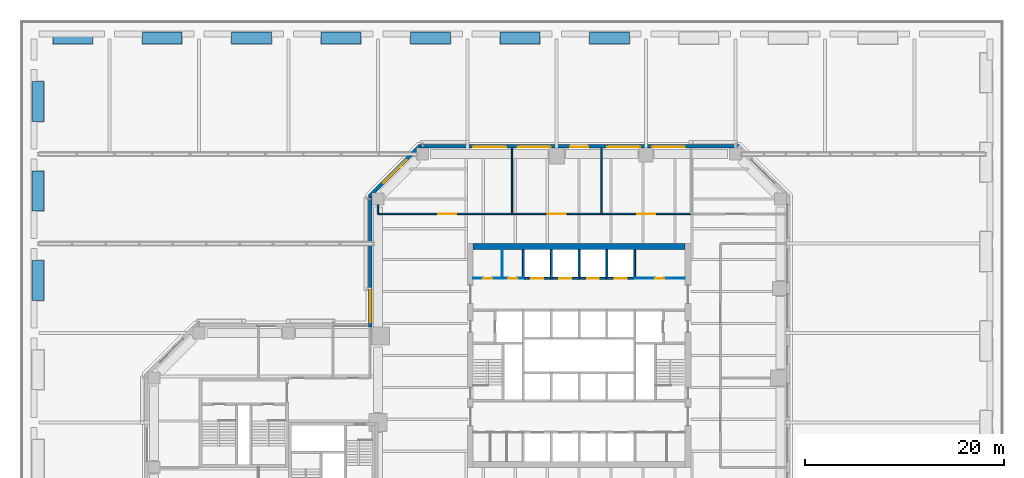
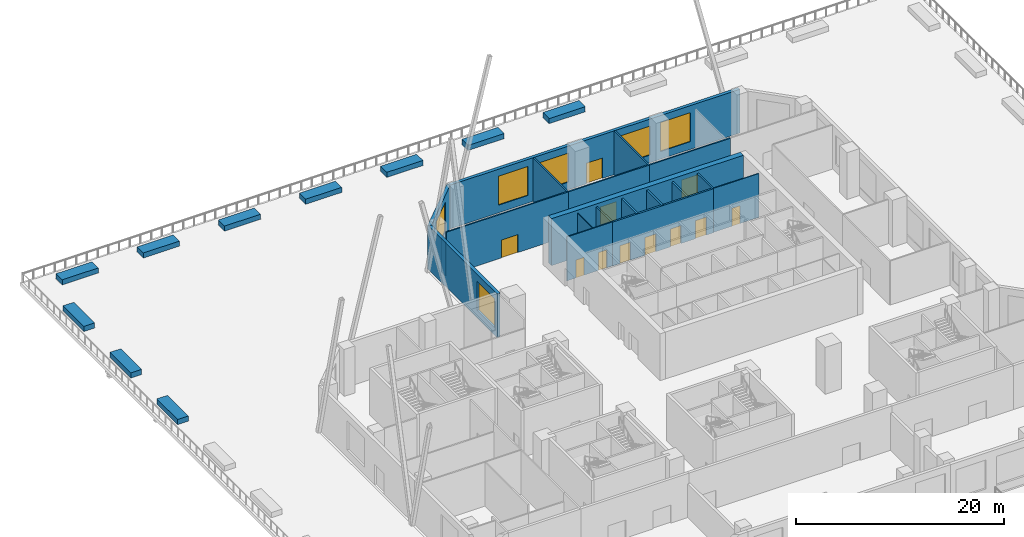
# One storey, part 26 of 33: 29 walls, 11 doors, 6 windows, 17 openings.
"""IFC4 building model written with IfcOpenShell, lengths in metres."""

import ifcopenshell
import ifcopenshell.guid

model = None  # the IFC model being written
_history = None  # IfcOwnerHistory: only IFC2X3 demands one
_inside = {}  # id of a spatial element -> (the spatial element, [elements in it])
_under = {}  # id of a project, library or spatial element -> (it, [spatial elements below it])
_declared = {}  # id of a project -> (the project, [libraries it declares])
_typed = {}  # id of a type object -> (the type object, [elements of that type])
_made_of = {}  # id of a material, layer set ... -> (it, [elements and type objects made of it])


def new_model(schema):
    """Start an empty IFC model of exactly this schema.

    Asked for "IFC4X3", IfcOpenShell would pick the latest addendum, in which some entities
    have other attributes; the version numbers below select the first issue.
    IFC2X3 requires an IfcOwnerHistory on every rooted entity: one is made here for all.
    """
    global model, _history
    if schema == "IFC4X3":
        model = ifcopenshell.file(schema_version=(4, 3, 0, 0))
    else:
        model = ifcopenshell.file(schema=schema)
    _inside.clear()
    _under.clear()
    _declared.clear()
    _typed.clear()
    _made_of.clear()
    _history = None
    if model.schema == "IFC2X3":
        org = make("IfcOrganization", Name="unknown")
        user = make(
            "IfcPersonAndOrganization",
            ThePerson=make("IfcPerson", FamilyName="unknown"),
            TheOrganization=org,
        )
        app = make(
            "IfcApplication",
            ApplicationDeveloper=org,
            Version="unknown",
            ApplicationFullName="unknown",
            ApplicationIdentifier="unknown",
        )
        _history = make(
            "IfcOwnerHistory",
            OwningUser=user,
            OwningApplication=app,
            ChangeAction="ADDED",
            CreationDate=0,
        )
    return model


def make(cls, **values):
    """One entity of the class cls with the attributes given. An attribute that is None is left unset."""
    return model.create_entity(
        cls, **{name: value for name, value in values.items() if value is not None}
    )


def rooted(cls, **values):
    """An entity with a GlobalId (a new one), such as an element, a storey or a relation."""
    return make(cls, GlobalId=ifcopenshell.guid.new(), OwnerHistory=_history, **values)


def si_unit(unit_type, name, prefix=None):
    """IfcSIUnit, for example si_unit("LENGTHUNIT", "METRE", prefix="MILLI")."""
    return make("IfcSIUnit", UnitType=unit_type, Prefix=prefix, Name=name)


def assignment(units):
    """IfcUnitAssignment: the units of a project."""
    return None if units is None else make("IfcUnitAssignment", Units=units)


def point(xyz):
    """IfcCartesianPoint."""
    return None if xyz is None else make("IfcCartesianPoint", Coordinates=xyz)


def direction(xyz):
    """IfcDirection."""
    return None if xyz is None else make("IfcDirection", DirectionRatios=xyz)


def frame(location, z_axis=None, x_axis=None):
    """IfcAxis2Placement3D, a coordinate frame: its origin and axes. An axis left out is left unset."""
    return make(
        "IfcAxis2Placement3D",
        Location=point(location),
        Axis=direction(z_axis),
        RefDirection=direction(x_axis),
    )


def frame_2d(location, x_axis=None):
    """IfcAxis2Placement2D, a coordinate frame in the plane: its origin and x axis."""
    return make(
        "IfcAxis2Placement2D", Location=point(location), RefDirection=direction(x_axis)
    )


def origin():
    """The frame at (0, 0, 0) with its axes left unset."""
    return frame((0.0, 0.0, 0.0))


def place(relative_to, where):
    """IfcLocalPlacement: puts the frame where relative to a parent placement (None: the world)."""
    return make(
        "IfcLocalPlacement", PlacementRelTo=relative_to, RelativePlacement=where
    )


def context(
    kind, dimensions, precision=None, world=None, true_north=None, identifier=None
):
    """IfcGeometricRepresentationContext, for example the 3D "Model" context."""
    return make(
        "IfcGeometricRepresentationContext",
        ContextIdentifier=identifier,
        ContextType=kind,
        CoordinateSpaceDimension=dimensions,
        Precision=precision,
        WorldCoordinateSystem=world,
        TrueNorth=true_north,
    )


def subcontext(parent, identifier, kind, view, scale=None):
    """IfcGeometricRepresentationSubContext, for example "Body" below "Model"."""
    return make(
        "IfcGeometricRepresentationSubContext",
        ContextIdentifier=identifier,
        ContextType=kind,
        ParentContext=parent,
        TargetScale=scale,
        TargetView=view,
    )


def project(units=None, contexts=None):
    """IfcProject with its units and contexts."""
    return rooted(
        "IfcProject",
        Name="project",
        RepresentationContexts=contexts,
        UnitsInContext=assignment(units),
    )


def spatial(cls, under=None, at=None, **own):
    """A site, building, storey or space (cls), placed at a placement, below another one or the project."""
    s = rooted(cls, ObjectPlacement=at, **own)
    if under is not None:
        _under.setdefault(under.id(), (under, []))[1].append(s)
    return s


def profile(cls, at=None, kind="AREA", **sizes):
    """A parametric profile (cls). Its sizes go by their IFC names, for example OverallWidth=200.0."""
    return make(cls, ProfileType=kind, Position=at, **sizes)


def rectangle(**sizes):
    """IfcRectangleProfileDef."""
    return profile("IfcRectangleProfileDef", **sizes)


def extrude(swept, where, along, depth):
    """IfcExtrudedAreaSolid: the profile swept, set in the frame where, extruded along a direction by depth."""
    return make(
        "IfcExtrudedAreaSolid",
        SweptArea=swept,
        Position=where,
        ExtrudedDirection=direction(along),
        Depth=depth,
    )


def shape(context_of_items, identifier, shape_type, items):
    """IfcShapeRepresentation: the items that make up one representation, for example the "Body"."""
    return make(
        "IfcShapeRepresentation",
        ContextOfItems=context_of_items,
        RepresentationIdentifier=identifier,
        RepresentationType=shape_type,
        Items=items,
    )


def material(Name=None, Category=None):
    """IfcMaterial."""
    return make("IfcMaterial", Name=Name, Category=Category)


def layer(
    of_material, thickness, ventilated=None, Name=None, Category=None, Priority=None
):
    """IfcMaterialLayer: one layer of a wall or slab, of a material (None: an air gap)."""
    return make(
        "IfcMaterialLayer",
        Material=of_material,
        LayerThickness=thickness,
        IsVentilated=ventilated,
        Name=Name,
        Category=Category,
        Priority=Priority,
    )


def layer_set(layers, Name=None):
    """IfcMaterialLayerSet."""
    return make("IfcMaterialLayerSet", MaterialLayers=layers, LayerSetName=Name)


def constituent(of_material, Name=None, Category=None, fraction=None):
    """IfcMaterialConstituent: one of the materials an element consists of."""
    return make(
        "IfcMaterialConstituent",
        Name=Name,
        Material=of_material,
        Fraction=fraction,
        Category=Category,
    )


def constituent_set(constituents=None, Name=None):
    """IfcMaterialConstituentSet."""
    return make(
        "IfcMaterialConstituentSet", Name=Name, MaterialConstituents=constituents
    )


def made_of(thing, what):
    """Note that an element or type object is made of a material, layer set ...; save() writes the relation."""
    if what is not None:
        _made_of.setdefault(what.id(), (what, []))[1].append(thing)
    return thing


def type_object(cls, material=None, **own):
    """A type object (cls), such as IfcWallType, which elements share."""
    return made_of(rooted(cls, **own), material)


def element(
    cls,
    number,
    at=None,
    inside=None,
    cuts=None,
    type_object=None,
    material=None,
    context=None,
    identifier="Body",
    shape_type=None,
    held_by="IfcProductDefinitionShape",
    body=None,
    shapes=None,
    **own,
):
    """One element of the class cls, such as IfcWall. Its Tag is "e" and its number.

    at: its placement. inside: the storey or other place that contains it. cuts: it is an
    opening in that element (IfcRelVoidsElement). A single representation is given by context,
    identifier, shape_type and body (its items); several are given by shapes. held_by: the class
    of the entity that holds the representations. save() writes the other relations.
    """
    e = rooted(cls, Tag="e%d" % number, ObjectPlacement=at, **own)
    if body is not None:
        shapes = [shape(context, identifier, shape_type, body)]
    if shapes is not None:
        e.Representation = make(held_by, Representations=shapes)
    if inside is not None:
        _inside.setdefault(inside.id(), (inside, []))[1].append(e)
    if cuts is not None:
        rooted(
            "IfcRelVoidsElement", RelatingBuildingElement=cuts, RelatedOpeningElement=e
        )
    if type_object is not None:
        _typed.setdefault(type_object.id(), (type_object, []))[1].append(e)
    return made_of(e, material)


def fill(opening, filler):
    """IfcRelFillsElement: the door or window that sits in an opening."""
    return rooted(
        "IfcRelFillsElement",
        RelatingOpeningElement=opening,
        RelatedBuildingElement=filler,
    )


def aggregate(whole, parts):
    """IfcRelAggregates: a whole, such as a stair, and the parts it consists of."""
    return rooted("IfcRelAggregates", RelatingObject=whole, RelatedObjects=parts)


def save(model, path):
    """Write the relations noted so far, then the file.

    IfcRelAggregates (storeys below a building ...), IfcRelContainedInSpatialStructure (elements
    in a storey), IfcRelDefinesByType, IfcRelAssociatesMaterial and IfcRelDeclares: one each for
    every whole, place, type object, material and project.
    """
    for whole, parts in _under.values():
        aggregate(whole, parts)
    for where, things in _inside.values():
        rooted(
            "IfcRelContainedInSpatialStructure",
            RelatedElements=things,
            RelatingStructure=where,
        )
    for kind, things in _typed.values():
        rooted("IfcRelDefinesByType", RelatedObjects=things, RelatingType=kind)
    for what, things in _made_of.values():
        rooted("IfcRelAssociatesMaterial", RelatedObjects=things, RelatingMaterial=what)
    for by, libraries in _declared.values():
        rooted("IfcRelDeclares", RelatingContext=by, RelatedDefinitions=libraries)
    model.write(path)


model = new_model("IFC4")

# Units and contexts
model_context = context("Model", 3, precision=1e-05, world=origin(), true_north=direction((0.0, 1.0)))
body_context = subcontext(model_context, "Body", "Model", "MODEL_VIEW")
ifc_project = project(units=[si_unit("LENGTHUNIT", "METRE"), si_unit("AREAUNIT", "SQUARE_METRE"), si_unit("VOLUMEUNIT", "CUBIC_METRE"), si_unit("PLANEANGLEUNIT", "RADIAN"), si_unit("MASSUNIT", "GRAM", prefix="KILO")], contexts=[model_context])

# Site, building, storey
site_placement = place(None, origin())
site = spatial("IfcSite", under=ifc_project, at=site_placement, CompositionType="ELEMENT")
building_placement = place(site_placement, origin())
building = spatial("IfcBuilding", under=site, at=building_placement, Name="Quoin Convention Tower", CompositionType="ELEMENT")
storey_placement = place(building_placement, frame((0.0, 0.0, 8.0)))
storey = spatial("IfcBuildingStorey", under=building, at=storey_placement, Name="L01", CompositionType="ELEMENT", Elevation=8.0)

# Wall, openings, windows, door
ifc_material_1 = material(Name="Brick masonry", Category="masonry")
ifc_layer_1 = layer(ifc_material_1, 0.35009765625)
ifc_layer_set_1 = layer_set([ifc_layer_1], Name="Brick masonry")
wall_type_1 = type_object("IfcWallType", Name="Brick facade wall", PredefinedType="STANDARD", material=ifc_layer_set_1)
wall_1_placement = place(storey_placement, frame((72.3935546875, 81.77490234375, 0.0), z_axis=(0.0, 0.0, 1.0), x_axis=(-1.0, 0.0, 0.0)))
wall_1 = element("IfcWall", 1, at=wall_1_placement, inside=storey, type_object=wall_type_1, Name="fw-L01-72000_81000", PredefinedType="STANDARD", context=body_context, shape_type="SweptSolid", body=[
    extrude(rectangle(XDim=32.287109375, YDim=0.35009765625, at=frame_2d((16.1435546875, 0.0))), origin(), (0.0, 0.0, 1.0), 5.125),
])
opening_1_placement = place(wall_1_placement, frame((5.493408203125, 0.0, 0.89990234375)))
opening_1 = element("IfcOpeningElement", 2, at=opening_1_placement, cuts=wall_1, Name="Opening W-04", PredefinedType="OPENING", context=body_context, shape_type="SweptSolid", body=[
    extrude(rectangle(XDim=3.300048828125, YDim=3.39990234375, at=frame_2d((1.64990234375, 1.699951171875))), frame((0.0, 0.18505859375, 0.0), z_axis=(0.0, -1.0, 0.0), x_axis=(1.0, 0.0, 0.0)), (0.0, 0.0, 1.0), 0.3701171875),
])
opening_2_placement = place(wall_1_placement, frame((9.993408203125, 0.0, 0.89990234375)))
opening_2 = element("IfcOpeningElement", 3, at=opening_2_placement, cuts=wall_1, Name="Opening W-04", PredefinedType="OPENING", context=body_context, shape_type="SweptSolid", body=[
    extrude(rectangle(XDim=3.300048828125, YDim=3.39990234375, at=frame_2d((1.64990234375, 1.699951171875))), frame((0.0, 0.18505859375, 0.0), z_axis=(0.0, -1.0, 0.0), x_axis=(1.0, 0.0, 0.0)), (0.0, 0.0, 1.0), 0.3701171875),
])
opening_3_placement = place(wall_1_placement, frame((15.243408203125, 0.0, 0.0)))
opening_3 = element("IfcOpeningElement", 4, at=opening_3_placement, cuts=wall_1, Name="Opening D-T1", PredefinedType="OPENING", context=body_context, shape_type="SweptSolid", body=[
    extrude(rectangle(XDim=1.800048828125, YDim=2.39990234375, at=frame_2d((0.89990234375, 1.199951171875))), frame((0.0, 0.18505859375, 0.0), z_axis=(0.0, -1.0, 0.0), x_axis=(1.0, 0.0, 0.0)), (0.0, 0.0, 1.0), 0.3701171875),
])
opening_4_placement = place(wall_1_placement, frame((18.993408203125, 0.0, 0.89990234375)))
opening_4 = element("IfcOpeningElement", 5, at=opening_4_placement, cuts=wall_1, Name="Opening W-04", PredefinedType="OPENING", context=body_context, shape_type="SweptSolid", body=[
    extrude(rectangle(XDim=3.300048828125, YDim=3.39990234375, at=frame_2d((1.64990234375, 1.699951171875))), frame((0.0, 0.18505859375, 0.0), z_axis=(0.0, -1.0, 0.0), x_axis=(1.0, 0.0, 0.0)), (0.0, 0.0, 1.0), 0.3701171875),
])
opening_5_placement = place(wall_1_placement, frame((23.493408203125, 0.0, 0.89990234375)))
opening_5 = element("IfcOpeningElement", 6, at=opening_5_placement, cuts=wall_1, Name="Opening W-04", PredefinedType="OPENING", context=body_context, shape_type="SweptSolid", body=[
    extrude(rectangle(XDim=3.300048828125, YDim=3.39990234375, at=frame_2d((1.64990234375, 1.699951171875))), frame((0.0, 0.18505859375, 0.0), z_axis=(0.0, -1.0, 0.0), x_axis=(1.0, 0.0, 0.0)), (0.0, 0.0, 1.0), 0.3701171875),
])
ifc_material_2 = material(Name="Aluminium", Category="aluminium")
ifc_constituent_1 = constituent(ifc_material_2, Name="Frame")
ifc_material_3 = material(Name="Insulated glass", Category="glass")
ifc_constituent_2 = constituent(ifc_material_3, Name="Glazing")
ifc_constituent_set_1 = constituent_set(constituents=[ifc_constituent_1, ifc_constituent_2], Name="Aluminium")
window_type = type_object("IfcWindowType", Name="Convention window L01", PartitioningType="TRIPLE_PANEL_VERTICAL", PredefinedType="WINDOW", material=ifc_constituent_set_1)
window_1_placement = place(opening_1_placement, origin())
window_1 = element("IfcWindow", 7, at=window_1_placement, inside=storey, type_object=window_type, Name="win-L01-65250_81775", OverallHeight=3.39990234375, OverallWidth=3.300048828125, PartitioningType="SINGLE_PANEL", PredefinedType="WINDOW", context=body_context, shape_type="SweptSolid", body=[
    extrude(rectangle(XDim=3.300048828125, YDim=3.39990234375, at=frame_2d((1.64990234375, 1.699951171875))), frame((0.0, 0.0849609375, 0.0), z_axis=(0.0, -1.0, 0.0), x_axis=(1.0, 0.0, 0.0)), (0.0, 0.0, 1.0), 0.06005859375),
])
fill(opening_1, window_1)
window_2_placement = place(opening_2_placement, origin())
window_2 = element("IfcWindow", 8, at=window_2_placement, inside=storey, type_object=window_type, Name="win-L01-60750_81775", OverallHeight=3.39990234375, OverallWidth=3.300048828125, PartitioningType="SINGLE_PANEL", PredefinedType="WINDOW", context=body_context, shape_type="SweptSolid", body=[
    extrude(rectangle(XDim=3.300048828125, YDim=3.39990234375, at=frame_2d((1.64990234375, 1.699951171875))), frame((0.0, 0.0849609375, 0.0), z_axis=(0.0, -1.0, 0.0), x_axis=(1.0, 0.0, 0.0)), (0.0, 0.0, 1.0), 0.06005859375),
])
fill(opening_2, window_2)
window_3_placement = place(opening_4_placement, origin())
window_3 = element("IfcWindow", 9, at=window_3_placement, inside=storey, type_object=window_type, Name="win-L01-51750_81775", OverallHeight=3.39990234375, OverallWidth=3.300048828125, PartitioningType="SINGLE_PANEL", PredefinedType="WINDOW", context=body_context, shape_type="SweptSolid", body=[
    extrude(rectangle(XDim=3.300048828125, YDim=3.39990234375, at=frame_2d((1.64990234375, 1.699951171875))), frame((0.0, 0.0849609375, 0.0), z_axis=(0.0, -1.0, 0.0), x_axis=(1.0, 0.0, 0.0)), (0.0, 0.0, 1.0), 0.06005859375),
])
fill(opening_4, window_3)
window_4_placement = place(opening_5_placement, origin())
window_4 = element("IfcWindow", 10, at=window_4_placement, inside=storey, type_object=window_type, Name="win-L01-47250_81775", OverallHeight=3.39990234375, OverallWidth=3.300048828125, PartitioningType="SINGLE_PANEL", PredefinedType="WINDOW", context=body_context, shape_type="SweptSolid", body=[
    extrude(rectangle(XDim=3.300048828125, YDim=3.39990234375, at=frame_2d((1.64990234375, 1.699951171875))), frame((0.0, 0.0849609375, 0.0), z_axis=(0.0, -1.0, 0.0), x_axis=(1.0, 0.0, 0.0)), (0.0, 0.0, 1.0), 0.06005859375),
])
fill(opening_5, window_4)
ifc_constituent_3 = constituent(ifc_material_2, Name="Frame")
ifc_constituent_4 = constituent(ifc_material_3, Name="Glazing")
ifc_constituent_set_2 = constituent_set(constituents=[ifc_constituent_3, ifc_constituent_4], Name="Aluminium")
door_type_1 = type_object("IfcDoorType", Name="Glazed terrace door", OperationType="DOUBLE_DOOR_SINGLE_SWING", PredefinedType="DOOR", material=ifc_constituent_set_2)
door_1_placement = place(opening_3_placement, frame((1.800048828125, 0.0, 0.0), z_axis=(0.0, 0.0, 1.0), x_axis=(-1.0, 0.0, 0.0)))
door_1 = element("IfcDoor", 11, at=door_1_placement, inside=storey, type_object=door_type_1, Name="dr-L01-56250_81775", OperationType="DOUBLE_DOOR_SINGLE_SWING", OverallHeight=2.39990234375, OverallWidth=1.800048828125, PredefinedType="DOOR", context=body_context, shape_type="SweptSolid", body=[
    extrude(rectangle(XDim=1.800048828125, YDim=2.39990234375, at=frame_2d((0.89990234375, 1.199951171875))), frame((0.0, -0.02978515625, 0.0), z_axis=(0.0, -1.0, 0.0), x_axis=(1.0, 0.0, 0.0)), (0.0, 0.0, 1.0), 0.050048828125),
])
fill(opening_3, door_1)

# Wall, opening, window
wall_2_placement = place(storey_placement, frame((40.230224609375, 81.826416015625, 0.0), z_axis=(0.0, 0.0, 1.0), x_axis=(-0.707106781187, -0.707106781187, 0.0)))
wall_2 = element("IfcWall", 12, at=wall_2_placement, inside=storey, type_object=wall_type_1, Name="fw-L01-40500_81000", PredefinedType="STANDARD", context=body_context, shape_type="SweptSolid", body=[
    extrude(rectangle(XDim=7.151123046875, YDim=0.35009765625, at=frame_2d((3.57568359375, 0.0))), origin(), (0.0, 0.0, 1.0), 5.125),
])
opening_6_placement = place(wall_2_placement, frame((1.925537109375, 0.0, 0.89990234375)))
opening_6 = element("IfcOpeningElement", 13, at=opening_6_placement, cuts=wall_2, Name="Opening W-04", PredefinedType="OPENING", context=body_context, shape_type="SweptSolid", body=[
    extrude(rectangle(XDim=3.300048828125, YDim=3.39990234375, at=frame_2d((1.64990234375, 1.699951171875))), frame((0.0, 0.18505859375, 0.0), z_axis=(0.0, -1.0, 0.0), x_axis=(1.0, 0.0, 0.0)), (0.0, 0.0, 1.0), 0.3701171875),
])
window_5_placement = place(opening_6_placement, origin())
window_5 = element("IfcWindow", 14, at=window_5_placement, inside=storey, type_object=window_type, Name="win-L01-37702_79298", OverallHeight=3.39990234375, OverallWidth=3.300048828125, PartitioningType="SINGLE_PANEL", PredefinedType="WINDOW", context=body_context, shape_type="SweptSolid", body=[
    extrude(rectangle(XDim=3.300048828125, YDim=3.39990234375, at=frame_2d((1.64990234375, 1.699951171875))), frame((0.0, 0.0849609375, 0.0), z_axis=(0.0, -1.0, 0.0), x_axis=(1.0, 0.0, 0.0)), (0.0, 0.0, 1.0), 0.06005859375),
])
fill(opening_6, window_5)

wall_3_placement = place(storey_placement, frame((35.22509765625, 76.8935546875, 0.0), z_axis=(0.0, 0.0, 1.0), x_axis=(0.0, -1.0, 0.0)))
wall_3 = element("IfcWall", 15, at=wall_3_placement, inside=storey, type_object=wall_type_1, Name="fw-L01-36000_76500", PredefinedType="STANDARD", context=body_context, shape_type="SweptSolid", body=[
    extrude(rectangle(XDim=13.29345703125, YDim=0.35009765625, at=frame_2d((6.646728515625, 0.0))), origin(), (0.0, 0.0, 1.0), 5.125),
])
opening_7_placement = place(wall_3_placement, frame((9.493408203125, 0.0, 0.89990234375)))
opening_7 = element("IfcOpeningElement", 16, at=opening_7_placement, cuts=wall_3, Name="Opening W-04", PredefinedType="OPENING", context=body_context, shape_type="SweptSolid", body=[
    extrude(rectangle(XDim=3.300048828125, YDim=3.39990234375, at=frame_2d((1.64990234375, 1.699951171875))), frame((0.0, 0.18505859375, 0.0), z_axis=(0.0, -1.0, 0.0), x_axis=(1.0, 0.0, 0.0)), (0.0, 0.0, 1.0), 0.3701171875),
])
window_6_placement = place(opening_7_placement, origin())
window_6 = element("IfcWindow", 17, at=window_6_placement, inside=storey, type_object=window_type, Name="win-L01-35225_65250", OverallHeight=3.39990234375, OverallWidth=3.300048828125, PartitioningType="SINGLE_PANEL", PredefinedType="WINDOW", context=body_context, shape_type="SweptSolid", body=[
    extrude(rectangle(XDim=3.300048828125, YDim=3.39990234375, at=frame_2d((1.64990234375, 1.699951171875))), frame((0.0, 0.0849609375, 0.0), z_axis=(0.0, -1.0, 0.0), x_axis=(1.0, 0.0, 0.0)), (0.0, 0.0, 1.0), 0.06005859375),
])
fill(opening_7, window_6)

# Wall, openings, doors
ifc_material_4 = material(Name="Plasterboard")
ifc_layer_2 = layer(ifc_material_4, 0.012451171875, Name="Finish")
ifc_material_5 = material(Name="Steel stud framing", Category="steel")
ifc_layer_3 = layer(ifc_material_5, 0.074951171875, Name="Structure")
ifc_layer_4 = layer(ifc_material_4, 0.012451171875, Name="Finish")
ifc_layer_set_2 = layer_set([ifc_layer_2, ifc_layer_3, ifc_layer_4], Name="Steel stud framing")
wall_type_2 = type_object("IfcWallType", Name="Core partition wall", PredefinedType="PARTITIONING", material=ifc_layer_set_2)
wall_4_placement = place(storey_placement, frame((45.60009765625, 68.5, 0.0), z_axis=(0.0, 0.0, 1.0), x_axis=(1.0, 0.0, 0.0)))
wall_4 = element("IfcWall", 18, at=wall_4_placement, inside=storey, type_object=wall_type_2, Name="cr-C1-L01-h19000_600", PredefinedType="PARTITIONING", context=body_context, shape_type="SweptSolid", body=[
    extrude(rectangle(XDim=5.0498046875, YDim=0.10009765625, at=frame_2d((2.52490234375, 0.0))), origin(), (0.0, 0.0, 1.0), 5.14990234375),
])
opening_8_placement = place(wall_4_placement, frame((1.014404296875, 0.0, 0.0)))
opening_8 = element("IfcOpeningElement", 19, at=opening_8_placement, cuts=wall_4, Name="Opening DCV1-17", PredefinedType="OPENING", context=body_context, shape_type="SweptSolid", body=[
    extrude(rectangle(XDim=0.89990234375, YDim=2.10009765625, at=frame_2d((0.449951171875, 1.050048828125))), frame((0.0, 0.06005859375, 0.0), z_axis=(0.0, -1.0, 0.0), x_axis=(1.0, 0.0, 0.0)), (0.0, 0.0, 1.0), 0.1201171875),
])
opening_9_placement = place(wall_4_placement, frame((3.53955078125, 0.0, 0.0)))
opening_9 = element("IfcOpeningElement", 20, at=opening_9_placement, cuts=wall_4, Name="Opening DCV1-18", PredefinedType="OPENING", context=body_context, shape_type="SweptSolid", body=[
    extrude(rectangle(XDim=0.89990234375, YDim=2.10009765625, at=frame_2d((0.449951171875, 1.050048828125))), frame((0.0, 0.06005859375, 0.0), z_axis=(0.0, -1.0, 0.0), x_axis=(1.0, 0.0, 0.0)), (0.0, 0.0, 1.0), 0.1201171875),
])
ifc_material_6 = material(Name="Steel door leaf", Category="steel")
door_type_2 = type_object("IfcDoorType", Name="Core room door 900 x 2100", OperationType="SINGLE_SWING_LEFT", PredefinedType="DOOR", material=ifc_material_6)
door_2_placement = place(opening_8_placement, origin())
door_2 = element("IfcDoor", 21, at=door_2_placement, inside=storey, type_object=door_type_2, Name="cd-C1-L01-CNW0-lobB-CD0108", OperationType="SINGLE_SWING_RIGHT", OverallHeight=2.10009765625, OverallWidth=0.89990234375, PredefinedType="DOOR", context=body_context, shape_type="SweptSolid", body=[
    extrude(rectangle(XDim=0.89990234375, YDim=2.10009765625, at=frame_2d((0.449951171875, 1.050048828125))), frame((0.0, 0.02490234375, 0.0), z_axis=(0.0, -1.0, 0.0), x_axis=(1.0, 0.0, 0.0)), (0.0, 0.0, 1.0), 0.050048828125),
])
fill(opening_8, door_2)
door_3_placement = place(opening_9_placement, origin())
door_3 = element("IfcDoor", 22, at=door_3_placement, inside=storey, type_object=door_type_2, Name="cd-C1-L01-CNW1-lobB-CD0109", OperationType="SINGLE_SWING_RIGHT", OverallHeight=2.10009765625, OverallWidth=0.89990234375, PredefinedType="DOOR", context=body_context, shape_type="SweptSolid", body=[
    extrude(rectangle(XDim=0.89990234375, YDim=2.10009765625, at=frame_2d((0.449951171875, 1.050048828125))), frame((0.0, 0.02490234375, 0.0), z_axis=(0.0, -1.0, 0.0), x_axis=(1.0, 0.0, 0.0)), (0.0, 0.0, 1.0), 0.050048828125),
])
fill(opening_9, door_3)

# Wall, opening, door
wall_5_placement = place(storey_placement, frame((61.85009765625, 68.5, 0.0), z_axis=(0.0, 0.0, 1.0), x_axis=(1.0, 0.0, 0.0)))
wall_5 = element("IfcWall", 23, at=wall_5_placement, inside=storey, type_object=wall_type_2, Name="cr-C1-L01-h19000_16850", PredefinedType="PARTITIONING", context=body_context, shape_type="SweptSolid", body=[
    extrude(rectangle(XDim=5.0498046875, YDim=0.10009765625, at=frame_2d((2.52490234375, 0.0))), origin(), (0.0, 0.0, 1.0), 5.14990234375),
])
opening_10_placement = place(wall_5_placement, frame((2.074951171875, 0.0, 0.0)))
opening_10 = element("IfcOpeningElement", 24, at=opening_10_placement, cuts=wall_5, Name="Opening DCV1-01", PredefinedType="OPENING", context=body_context, shape_type="SweptSolid", body=[
    extrude(rectangle(XDim=0.89990234375, YDim=2.10009765625, at=frame_2d((0.449951171875, 1.050048828125))), frame((0.0, 0.06005859375, 0.0), z_axis=(0.0, -1.0, 0.0), x_axis=(1.0, 0.0, 0.0)), (0.0, 0.0, 1.0), 0.1201171875),
])
door_4_placement = place(opening_10_placement, origin())
door_4 = element("IfcDoor", 25, at=door_4_placement, inside=storey, type_object=door_type_2, Name="cd-C1-L01-CNE0-lobB-CD0107", OperationType="SINGLE_SWING_LEFT", OverallHeight=2.10009765625, OverallWidth=0.89990234375, PredefinedType="DOOR", context=body_context, shape_type="SweptSolid", body=[
    extrude(rectangle(XDim=0.89990234375, YDim=2.10009765625, at=frame_2d((0.449951171875, 1.050048828125))), frame((0.0, 0.02490234375, 0.0), z_axis=(0.0, -1.0, 0.0), x_axis=(1.0, 0.0, 0.0)), (0.0, 0.0, 1.0), 0.050048828125),
])
fill(opening_10, door_4)

# Wall
wall_6_placement = place(storey_placement, frame((48.529052734375, 68.5, 0.0), z_axis=(0.0, 0.0, 1.0), x_axis=(0.0, 1.0, 0.0)))
element("IfcWall", 26, at=wall_6_placement, inside=storey, type_object=wall_type_2, Name="cr-C1-L01-v3529_19000", PredefinedType="PARTITIONING", context=body_context, shape_type="SweptSolid", body=[
    extrude(rectangle(XDim=2.89990234375, YDim=0.10009765625, at=frame_2d((1.449951171875, 0.0))), origin(), (0.0, 0.0, 1.0), 5.14990234375),
])

# Wall, openings, doors
ifc_material_7 = material(Name="Concrete C50", Category="concrete")
ifc_layer_5 = layer(ifc_material_7, 0.199951171875)
ifc_layer_set_3 = layer_set([ifc_layer_5], Name="Concrete C50")
wall_type_3 = type_object("IfcWallType", Name="Core shaft wall", PredefinedType="SOLIDWALL", material=ifc_layer_set_3)
wall_7_placement = place(storey_placement, frame((50.64990234375, 68.5, 0.0), z_axis=(0.0, 0.0, 1.0), x_axis=(1.0, 0.0, 0.0)))
wall_7 = element("IfcWall", 27, at=wall_7_placement, inside=storey, type_object=wall_type_3, Name="cr-C1-L01-h19000_5650", PredefinedType="SOLIDWALL", context=body_context, shape_type="SweptSolid", body=[
    extrude(rectangle(XDim=11.2001953125, YDim=0.199951171875, at=frame_2d((5.60009765625, 0.0))), origin(), (0.0, 0.0, 1.0), 5.14990234375),
])
opening_11_placement = place(wall_7_placement, frame((0.800048828125, 0.0, 0.0)))
opening_11 = element("IfcOpeningElement", 28, at=opening_11_placement, cuts=wall_7, Name="Opening LDL5", PredefinedType="OPENING", context=body_context, shape_type="SweptSolid", body=[
    extrude(rectangle(XDim=1.199951171875, YDim=2.10009765625, at=frame_2d((0.60009765625, 1.050048828125))), frame((0.0, 0.10986328125, 0.0), z_axis=(0.0, -1.0, 0.0), x_axis=(1.0, 0.0, 0.0)), (0.0, 0.0, 1.0), 0.219970703125),
])
opening_12_placement = place(wall_7_placement, frame((3.60009765625, 0.0, 0.0)))
opening_12 = element("IfcOpeningElement", 29, at=opening_12_placement, cuts=wall_7, Name="Opening LDL6", PredefinedType="OPENING", context=body_context, shape_type="SweptSolid", body=[
    extrude(rectangle(XDim=1.199951171875, YDim=2.10009765625, at=frame_2d((0.60009765625, 1.050048828125))), frame((0.0, 0.10986328125, 0.0), z_axis=(0.0, -1.0, 0.0), x_axis=(1.0, 0.0, 0.0)), (0.0, 0.0, 1.0), 0.219970703125),
])
opening_13_placement = place(wall_7_placement, frame((6.39990234375, 0.0, 0.0)))
opening_13 = element("IfcOpeningElement", 30, at=opening_13_placement, cuts=wall_7, Name="Opening LDL7", PredefinedType="OPENING", context=body_context, shape_type="SweptSolid", body=[
    extrude(rectangle(XDim=1.199951171875, YDim=2.10009765625, at=frame_2d((0.60009765625, 1.050048828125))), frame((0.0, 0.10986328125, 0.0), z_axis=(0.0, -1.0, 0.0), x_axis=(1.0, 0.0, 0.0)), (0.0, 0.0, 1.0), 0.219970703125),
])
opening_14_placement = place(wall_7_placement, frame((9.199951171875, 0.0, 0.0)))
opening_14 = element("IfcOpeningElement", 31, at=opening_14_placement, cuts=wall_7, Name="Opening LDL8", PredefinedType="OPENING", context=body_context, shape_type="SweptSolid", body=[
    extrude(rectangle(XDim=1.199951171875, YDim=2.10009765625, at=frame_2d((0.60009765625, 1.050048828125))), frame((0.0, 0.10986328125, 0.0), z_axis=(0.0, -1.0, 0.0), x_axis=(1.0, 0.0, 0.0)), (0.0, 0.0, 1.0), 0.219970703125),
])
door_type_3 = type_object("IfcDoorType", Name="Lift landing door 1200 x 2100", OperationType="DOUBLE_DOOR_SLIDING", PredefinedType="DOOR", material=ifc_material_6)
door_5_placement = place(opening_11_placement, origin())
door_5 = element("IfcDoor", 32, at=door_5_placement, inside=storey, type_object=door_type_3, Name="cd-C1-L01-R40-lobB-LDL5", OperationType="DOUBLE_DOOR_SLIDING", OverallHeight=2.10009765625, OverallWidth=1.199951171875, PredefinedType="DOOR", context=body_context, shape_type="SweptSolid", body=[
    extrude(rectangle(XDim=1.199951171875, YDim=2.10009765625, at=frame_2d((0.60009765625, 1.050048828125))), frame((0.0, 0.02490234375, 0.0), z_axis=(0.0, -1.0, 0.0), x_axis=(1.0, 0.0, 0.0)), (0.0, 0.0, 1.0), 0.050048828125),
])
fill(opening_11, door_5)
door_6_placement = place(opening_12_placement, origin())
door_6 = element("IfcDoor", 33, at=door_6_placement, inside=storey, type_object=door_type_3, Name="cd-C1-L01-R41-lobB-LDL6", OperationType="DOUBLE_DOOR_SLIDING", OverallHeight=2.10009765625, OverallWidth=1.199951171875, PredefinedType="DOOR", context=body_context, shape_type="SweptSolid", body=[
    extrude(rectangle(XDim=1.199951171875, YDim=2.10009765625, at=frame_2d((0.60009765625, 1.050048828125))), frame((0.0, 0.02490234375, 0.0), z_axis=(0.0, -1.0, 0.0), x_axis=(1.0, 0.0, 0.0)), (0.0, 0.0, 1.0), 0.050048828125),
])
fill(opening_12, door_6)
door_7_placement = place(opening_13_placement, origin())
door_7 = element("IfcDoor", 34, at=door_7_placement, inside=storey, type_object=door_type_3, Name="cd-C1-L01-R42-lobB-LDL7", OperationType="DOUBLE_DOOR_SLIDING", OverallHeight=2.10009765625, OverallWidth=1.199951171875, PredefinedType="DOOR", context=body_context, shape_type="SweptSolid", body=[
    extrude(rectangle(XDim=1.199951171875, YDim=2.10009765625, at=frame_2d((0.60009765625, 1.050048828125))), frame((0.0, 0.02490234375, 0.0), z_axis=(0.0, -1.0, 0.0), x_axis=(1.0, 0.0, 0.0)), (0.0, 0.0, 1.0), 0.050048828125),
])
fill(opening_13, door_7)
door_8_placement = place(opening_14_placement, origin())
door_8 = element("IfcDoor", 35, at=door_8_placement, inside=storey, type_object=door_type_3, Name="cd-C1-L01-R43-lobB-LDL8", OperationType="DOUBLE_DOOR_SLIDING", OverallHeight=2.10009765625, OverallWidth=1.199951171875, PredefinedType="DOOR", context=body_context, shape_type="SweptSolid", body=[
    extrude(rectangle(XDim=1.199951171875, YDim=2.10009765625, at=frame_2d((0.60009765625, 1.050048828125))), frame((0.0, 0.02490234375, 0.0), z_axis=(0.0, -1.0, 0.0), x_axis=(1.0, 0.0, 0.0)), (0.0, 0.0, 1.0), 0.050048828125),
])
fill(opening_14, door_8)

# Walls
for number, where, z_axis, x_axis, name in (
    (36, (50.64990234375, 68.5, 0.0), (0.0, 0.0, 1.0), (0.0, 1.0, 0.0), "cr-C1-L01-v5650_19000"),
    (37, (53.449951171875, 68.5, 0.0), (0.0, 0.0, 1.0), (0.0, 1.0, 0.0), "cr-C1-L01-v8450_19000"),
    (38, (56.25, 68.5, 0.0), (0.0, 0.0, 1.0), (0.0, 1.0, 0.0), "cr-C1-L01-v11250_19000"),
    (39, (59.050048828125, 68.5, 0.0), (0.0, 0.0, 1.0), (0.0, 1.0, 0.0), "cr-C1-L01-v14050_19000"),
    (40, (61.85009765625, 68.5, 0.0), (0.0, 0.0, 1.0), (0.0, 1.0, 0.0), "cr-C1-L01-v16850_19000"),
):
    element("IfcWall", number, at=place(storey_placement, frame(where, z_axis=z_axis, x_axis=x_axis)), inside=storey, type_object=wall_type_3, Name=name, PredefinedType="SOLIDWALL", context=body_context, shape_type="SweptSolid", body=[
        extrude(rectangle(XDim=2.89990234375, YDim=0.199951171875, at=frame_2d((1.449951171875, 0.0))), origin(), (0.0, 0.0, 1.0), 5.14990234375),
    ])

# Wall, opening, door
ifc_layer_6 = layer(ifc_material_4, 0.012451171875, Name="Finish")
ifc_layer_7 = layer(ifc_material_5, 0.125, Name="Structure")
ifc_layer_8 = layer(ifc_material_4, 0.012451171875, Name="Finish")
ifc_layer_set_4 = layer_set([ifc_layer_6, ifc_layer_7, ifc_layer_8], Name="Steel stud framing")
wall_type_4 = type_object("IfcWallType", Name="Partition wall 150", PredefinedType="PARTITIONING", material=ifc_layer_set_4)
wall_8_placement = place(storey_placement, frame((36.0, 75.0, 0.0), z_axis=(0.0, 0.0, 1.0), x_axis=(1.0, 0.0, 0.0)))
wall_8 = element("IfcWall", 41, at=wall_8_placement, inside=storey, type_object=wall_type_4, Name="pw-L01-040", PredefinedType="PARTITIONING", context=body_context, shape_type="SweptSolid", body=[
    extrude(rectangle(XDim=13.5, YDim=0.14990234375, at=frame_2d((6.75, 0.0))), origin(), (0.0, 0.0, 1.0), 5.14990234375),
])
opening_15_placement = place(wall_8_placement, frame((6.10009765625, 0.0, 0.0)))
opening_15 = element("IfcOpeningElement", 42, at=opening_15_placement, cuts=wall_8, Name="Opening DPD1-19", PredefinedType="OPENING", context=body_context, shape_type="SweptSolid", body=[
    extrude(rectangle(XDim=1.800048828125, YDim=2.10009765625, at=frame_2d((0.89990234375, 1.050048828125))), frame((0.0, 0.0849609375, 0.0), z_axis=(0.0, -1.0, 0.0), x_axis=(1.0, 0.0, 0.0)), (0.0, 0.0, 1.0), 0.169921875),
])
door_type_4 = type_object("IfcDoorType", Name="Double leaf door 1800", OperationType="DOUBLE_DOOR_SINGLE_SWING", PredefinedType="DOOR", material=ifc_material_6)
door_9_placement = place(opening_15_placement, origin())
door_9 = element("IfcDoor", 43, at=door_9_placement, inside=storey, type_object=door_type_4, Name="dr-L01-019", OperationType="DOUBLE_DOOR_SINGLE_SWING", OverallHeight=2.10009765625, OverallWidth=1.800048828125, PredefinedType="DOOR", context=body_context, shape_type="SweptSolid", body=[
    extrude(rectangle(XDim=1.800048828125, YDim=2.10009765625, at=frame_2d((0.89990234375, 1.050048828125))), frame((0.0, 0.02490234375, 0.0), z_axis=(0.0, -1.0, 0.0), x_axis=(1.0, 0.0, 0.0)), (0.0, 0.0, 1.0), 0.050048828125),
])
fill(opening_15, door_9)

wall_9_placement = place(storey_placement, frame((49.5, 75.0, 0.0), z_axis=(0.0, 0.0, 1.0), x_axis=(1.0, 0.0, 0.0)))
wall_9 = element("IfcWall", 44, at=wall_9_placement, inside=storey, type_object=wall_type_4, Name="pw-L01-042", PredefinedType="PARTITIONING", context=body_context, shape_type="SweptSolid", body=[
    extrude(rectangle(XDim=9.0, YDim=0.14990234375, at=frame_2d((4.5, 0.0))), origin(), (0.0, 0.0, 1.0), 5.14990234375),
])
opening_16_placement = place(wall_9_placement, frame((3.60009765625, 0.0, 0.0)))
opening_16 = element("IfcOpeningElement", 45, at=opening_16_placement, cuts=wall_9, Name="Opening DPD1-20", PredefinedType="OPENING", context=body_context, shape_type="SweptSolid", body=[
    extrude(rectangle(XDim=1.800048828125, YDim=2.10009765625, at=frame_2d((0.89990234375, 1.050048828125))), frame((0.0, 0.0849609375, 0.0), z_axis=(0.0, -1.0, 0.0), x_axis=(1.0, 0.0, 0.0)), (0.0, 0.0, 1.0), 0.169921875),
])
door_10_placement = place(opening_16_placement, origin())
door_10 = element("IfcDoor", 46, at=door_10_placement, inside=storey, type_object=door_type_4, Name="dr-L01-020", OperationType="DOUBLE_DOOR_SINGLE_SWING", OverallHeight=2.10009765625, OverallWidth=1.800048828125, PredefinedType="DOOR", context=body_context, shape_type="SweptSolid", body=[
    extrude(rectangle(XDim=1.800048828125, YDim=2.10009765625, at=frame_2d((0.89990234375, 1.050048828125))), frame((0.0, 0.02490234375, 0.0), z_axis=(0.0, -1.0, 0.0), x_axis=(1.0, 0.0, 0.0)), (0.0, 0.0, 1.0), 0.050048828125),
])
fill(opening_16, door_10)

# Wall
wall_10_placement = place(storey_placement, frame((49.5, 75.0, 0.0), z_axis=(0.0, 0.0, 1.0), x_axis=(0.0, 1.0, 0.0)))
element("IfcWall", 47, at=wall_10_placement, inside=storey, type_object=wall_type_4, Name="pw-L01-043", PredefinedType="PARTITIONING", context=body_context, shape_type="SweptSolid", body=[
    extrude(rectangle(XDim=6.60009765625, YDim=0.14990234375, at=frame_2d((3.300048828125, 0.0))), origin(), (0.0, 0.0, 1.0), 5.14990234375),
])

# Wall, opening, door
wall_11_placement = place(storey_placement, frame((58.5, 75.0, 0.0), z_axis=(0.0, 0.0, 1.0), x_axis=(1.0, 0.0, 0.0)))
wall_11 = element("IfcWall", 48, at=wall_11_placement, inside=storey, type_object=wall_type_4, Name="pw-L01-044", PredefinedType="PARTITIONING", context=body_context, shape_type="SweptSolid", body=[
    extrude(rectangle(XDim=9.0, YDim=0.14990234375, at=frame_2d((4.5, 0.0))), origin(), (0.0, 0.0, 1.0), 5.14990234375),
])
opening_17_placement = place(wall_11_placement, frame((3.60009765625, 0.0, 0.0)))
opening_17 = element("IfcOpeningElement", 49, at=opening_17_placement, cuts=wall_11, Name="Opening DPD1-21", PredefinedType="OPENING", context=body_context, shape_type="SweptSolid", body=[
    extrude(rectangle(XDim=1.800048828125, YDim=2.10009765625, at=frame_2d((0.89990234375, 1.050048828125))), frame((0.0, 0.0849609375, 0.0), z_axis=(0.0, -1.0, 0.0), x_axis=(1.0, 0.0, 0.0)), (0.0, 0.0, 1.0), 0.169921875),
])
door_11_placement = place(opening_17_placement, origin())
door_11 = element("IfcDoor", 50, at=door_11_placement, inside=storey, type_object=door_type_4, Name="dr-L01-021", OperationType="DOUBLE_DOOR_SINGLE_SWING", OverallHeight=2.10009765625, OverallWidth=1.800048828125, PredefinedType="DOOR", context=body_context, shape_type="SweptSolid", body=[
    extrude(rectangle(XDim=1.800048828125, YDim=2.10009765625, at=frame_2d((0.89990234375, 1.050048828125))), frame((0.0, 0.02490234375, 0.0), z_axis=(0.0, -1.0, 0.0), x_axis=(1.0, 0.0, 0.0)), (0.0, 0.0, 1.0), 0.050048828125),
])
fill(opening_17, door_11)

# Walls
wall_12_placement = place(storey_placement, frame((58.5, 75.0, 0.0), z_axis=(0.0, 0.0, 1.0), x_axis=(0.0, 1.0, 0.0)))
element("IfcWall", 51, at=wall_12_placement, inside=storey, type_object=wall_type_4, Name="pw-L01-045", PredefinedType="PARTITIONING", context=body_context, shape_type="SweptSolid", body=[
    extrude(rectangle(XDim=6.60009765625, YDim=0.14990234375, at=frame_2d((3.300048828125, 0.0))), origin(), (0.0, 0.0, 1.0), 5.14990234375),
])
ifc_layer_9 = layer(ifc_material_4, 0.012451171875, Name="Finish")
ifc_layer_10 = layer(ifc_material_5, 0.125, Name="Structure")
ifc_layer_11 = layer(ifc_material_4, 0.012451171875, Name="Finish")
ifc_layer_set_5 = layer_set([ifc_layer_9, ifc_layer_10, ifc_layer_11], Name="Steel stud framing")
wall_type_5 = type_object("IfcWallType", Name="Partition wall 150 under beam 1200", PredefinedType="PARTITIONING", material=ifc_layer_set_5)
wall_13_placement = place(storey_placement, frame((36.0, 75.0, 0.0), z_axis=(0.0, 0.0, 1.0), x_axis=(0.0, 1.0, 0.0)))
element("IfcWall", 52, at=wall_13_placement, inside=storey, type_object=wall_type_5, Name="pw-L01-041", PredefinedType="PARTITIONING", context=body_context, shape_type="SweptSolid", body=[
    extrude(rectangle(XDim=0.89990234375, YDim=0.14990234375, at=frame_2d((0.449951171875, 0.0))), origin(), (0.0, 0.0, 1.0), 3.949951171875),
])
ifc_material_8 = material(Name="Concrete C40", Category="concrete")
ifc_layer_12 = layer(ifc_material_8, 1.199951171875)
ifc_layer_set_6 = layer_set([ifc_layer_12], Name="Concrete C40")
wall_type_6 = type_object("IfcWallType", Name="Planter bed", PredefinedType="STANDARD", material=ifc_layer_set_6)
for number, where, z_axis, x_axis, name in (
    (53, (3.300048828125, 92.699951171875, 0.0), (0.0, 0.0, 1.0), (1.0, 0.0, 0.0), "PLANTER L01 01"),
    (54, (12.300048828125, 92.699951171875, 0.0), (0.0, 0.0, 1.0), (1.0, 0.0, 0.0), "PLANTER L01 02"),
    (55, (21.300048828125, 92.699951171875, 0.0), (0.0, 0.0, 1.0), (1.0, 0.0, 0.0), "PLANTER L01 03"),
    (56, (30.300048828125, 92.699951171875, 0.0), (0.0, 0.0, 1.0), (1.0, 0.0, 0.0), "PLANTER L01 04"),
    (57, (39.300048828125, 92.699951171875, 0.0), (0.0, 0.0, 1.0), (1.0, 0.0, 0.0), "PLANTER L01 05"),
    (58, (48.300048828125, 92.699951171875, 0.0), (0.0, 0.0, 1.0), (1.0, 0.0, 0.0), "PLANTER L01 06"),
    (59, (57.300048828125, 92.699951171875, 0.0), (0.0, 0.0, 1.0), (1.0, 0.0, 0.0), "PLANTER L01 07"),
    (60, (1.800048828125, 66.300048828125, 0.0), (0.0, 0.0, 1.0), (0.0, 1.0, 0.0), "PLANTER L01 30"),
    (61, (1.800048828125, 75.300048828125, 0.0), (0.0, 0.0, 1.0), (0.0, 1.0, 0.0), "PLANTER L01 31"),
    (62, (1.800048828125, 84.300048828125, 0.0), (0.0, 0.0, 1.0), (0.0, 1.0, 0.0), "PLANTER L01 32"),
):
    element("IfcWall", number, at=place(storey_placement, frame(where, z_axis=z_axis, x_axis=x_axis)), inside=storey, type_object=wall_type_6, Name=name, PredefinedType="STANDARD", context=body_context, shape_type="SweptSolid", body=[
        extrude(rectangle(XDim=4.0, YDim=1.199951171875, at=frame_2d((2.0, 0.0))), origin(), (0.0, 0.0, 1.0), 0.60009765625),
    ])
ifc_material_9 = material(Name="Concrete C100 (100 MPa)", Category="concrete")
ifc_layer_13 = layer(ifc_material_9, 0.60009765625)
ifc_layer_set_7 = layer_set([ifc_layer_13], Name="Concrete C100 (100 MPa)")
wall_type_7 = type_object("IfcWallType", Name="RC CORE WALL 600 C100", PredefinedType="SHEAR", material=ifc_layer_set_7)
wall_14_placement = place(storey_placement, frame((45.60009765625, 71.699951171875, 0.0), z_axis=(0.0, 0.0, 1.0), x_axis=(1.0, 0.0, 0.0)))
element("IfcWall", 63, at=wall_14_placement, inside=storey, type_object=wall_type_7, Name="cwl-C1-L01-N", PredefinedType="SHEAR", context=body_context, shape_type="SweptSolid", body=[
    extrude(rectangle(XDim=21.2998046875, YDim=0.60009765625, at=frame_2d((10.64990234375, 0.0))), origin(), (0.0, 0.0, 1.0), 5.5),
])

save(model, "model.ifc")
